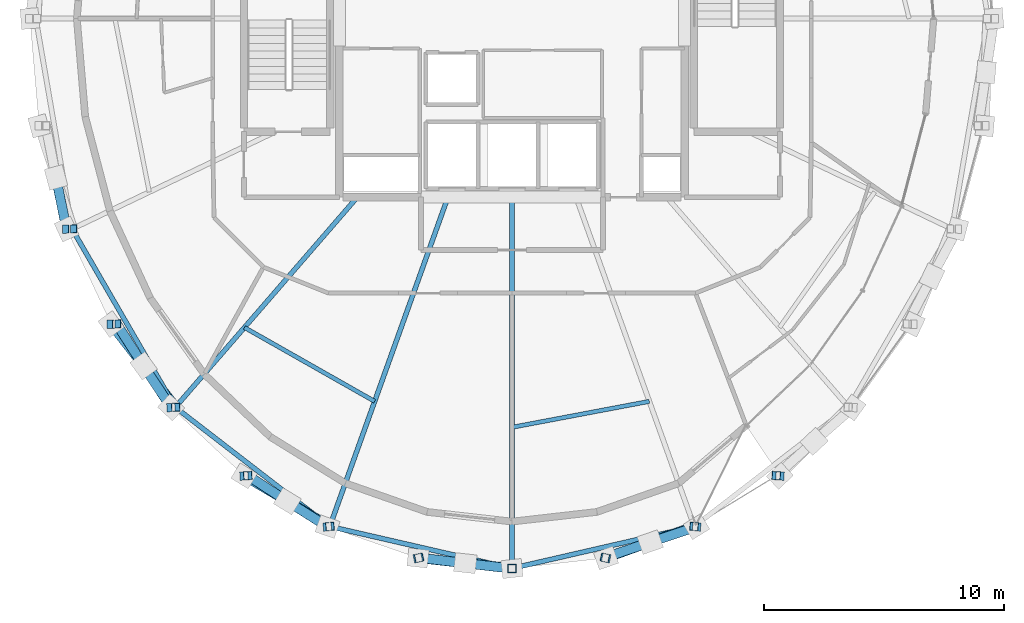
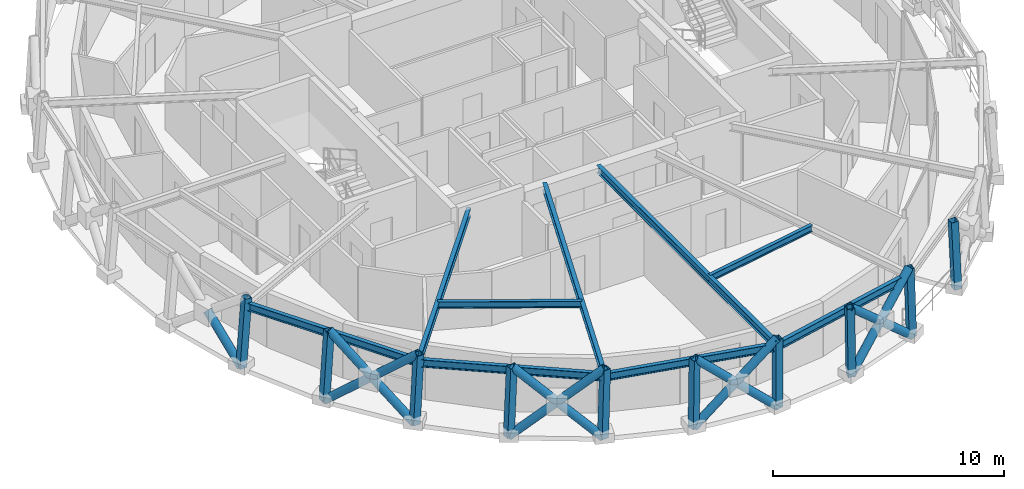
# One storey, part 1 of 17: 23 members, 9 beams.
"""IFC4 building model written with IfcOpenShell, lengths in metres."""

import ifcopenshell
import ifcopenshell.guid

model = None  # the IFC model being written
_history = None  # IfcOwnerHistory: only IFC2X3 demands one
_inside = {}  # id of a spatial element -> (the spatial element, [elements in it])
_under = {}  # id of a project, library or spatial element -> (it, [spatial elements below it])
_declared = {}  # id of a project -> (the project, [libraries it declares])
_typed = {}  # id of a type object -> (the type object, [elements of that type])
_made_of = {}  # id of a material, layer set ... -> (it, [elements and type objects made of it])


def new_model(schema):
    """Start an empty IFC model of exactly this schema.

    Asked for "IFC4X3", IfcOpenShell would pick the latest addendum, in which some entities
    have other attributes; the version numbers below select the first issue.
    IFC2X3 requires an IfcOwnerHistory on every rooted entity: one is made here for all.
    """
    global model, _history
    if schema == "IFC4X3":
        model = ifcopenshell.file(schema_version=(4, 3, 0, 0))
    else:
        model = ifcopenshell.file(schema=schema)
    _inside.clear()
    _under.clear()
    _declared.clear()
    _typed.clear()
    _made_of.clear()
    _history = None
    if model.schema == "IFC2X3":
        org = make("IfcOrganization", Name="unknown")
        user = make(
            "IfcPersonAndOrganization",
            ThePerson=make("IfcPerson", FamilyName="unknown"),
            TheOrganization=org,
        )
        app = make(
            "IfcApplication",
            ApplicationDeveloper=org,
            Version="unknown",
            ApplicationFullName="unknown",
            ApplicationIdentifier="unknown",
        )
        _history = make(
            "IfcOwnerHistory",
            OwningUser=user,
            OwningApplication=app,
            ChangeAction="ADDED",
            CreationDate=0,
        )
    return model


def make(cls, **values):
    """One entity of the class cls with the attributes given. An attribute that is None is left unset."""
    return model.create_entity(
        cls, **{name: value for name, value in values.items() if value is not None}
    )


def rooted(cls, **values):
    """An entity with a GlobalId (a new one), such as an element, a storey or a relation."""
    return make(cls, GlobalId=ifcopenshell.guid.new(), OwnerHistory=_history, **values)


def si_unit(unit_type, name, prefix=None):
    """IfcSIUnit, for example si_unit("LENGTHUNIT", "METRE", prefix="MILLI")."""
    return make("IfcSIUnit", UnitType=unit_type, Prefix=prefix, Name=name)


def assignment(units):
    """IfcUnitAssignment: the units of a project."""
    return None if units is None else make("IfcUnitAssignment", Units=units)


def point(xyz):
    """IfcCartesianPoint."""
    return None if xyz is None else make("IfcCartesianPoint", Coordinates=xyz)


def direction(xyz):
    """IfcDirection."""
    return None if xyz is None else make("IfcDirection", DirectionRatios=xyz)


def frame(location, z_axis=None, x_axis=None):
    """IfcAxis2Placement3D, a coordinate frame: its origin and axes. An axis left out is left unset."""
    return make(
        "IfcAxis2Placement3D",
        Location=point(location),
        Axis=direction(z_axis),
        RefDirection=direction(x_axis),
    )


def frame_2d(location, x_axis=None):
    """IfcAxis2Placement2D, a coordinate frame in the plane: its origin and x axis."""
    return make(
        "IfcAxis2Placement2D", Location=point(location), RefDirection=direction(x_axis)
    )


def origin():
    """The frame at (0, 0, 0) with its axes left unset."""
    return frame((0.0, 0.0, 0.0))


def origin_2d():
    """The frame at (0, 0) in the plane with its x axis left unset."""
    return frame_2d((0.0, 0.0))


def place(relative_to, where):
    """IfcLocalPlacement: puts the frame where relative to a parent placement (None: the world)."""
    return make(
        "IfcLocalPlacement", PlacementRelTo=relative_to, RelativePlacement=where
    )


def context(
    kind, dimensions, precision=None, world=None, true_north=None, identifier=None
):
    """IfcGeometricRepresentationContext, for example the 3D "Model" context."""
    return make(
        "IfcGeometricRepresentationContext",
        ContextIdentifier=identifier,
        ContextType=kind,
        CoordinateSpaceDimension=dimensions,
        Precision=precision,
        WorldCoordinateSystem=world,
        TrueNorth=true_north,
    )


def subcontext(parent, identifier, kind, view, scale=None):
    """IfcGeometricRepresentationSubContext, for example "Body" below "Model"."""
    return make(
        "IfcGeometricRepresentationSubContext",
        ContextIdentifier=identifier,
        ContextType=kind,
        ParentContext=parent,
        TargetScale=scale,
        TargetView=view,
    )


def project(units=None, contexts=None):
    """IfcProject with its units and contexts."""
    return rooted(
        "IfcProject",
        Name="project",
        RepresentationContexts=contexts,
        UnitsInContext=assignment(units),
    )


def spatial(cls, under=None, at=None, **own):
    """A site, building, storey or space (cls), placed at a placement, below another one or the project."""
    s = rooted(cls, ObjectPlacement=at, **own)
    if under is not None:
        _under.setdefault(under.id(), (under, []))[1].append(s)
    return s


def profile(cls, at=None, kind="AREA", **sizes):
    """A parametric profile (cls). Its sizes go by their IFC names, for example OverallWidth=200.0."""
    return make(cls, ProfileType=kind, Position=at, **sizes)


def hollow_rectangle(**sizes):
    """IfcRectangleHollowProfileDef."""
    return profile("IfcRectangleHollowProfileDef", **sizes)


def hollow_circle(**sizes):
    """IfcCircleHollowProfileDef."""
    return profile("IfcCircleHollowProfileDef", **sizes)


def i_section(**sizes):
    """IfcIShapeProfileDef."""
    return profile("IfcIShapeProfileDef", **sizes)


def extrude(swept, where, along, depth):
    """IfcExtrudedAreaSolid: the profile swept, set in the frame where, extruded along a direction by depth."""
    return make(
        "IfcExtrudedAreaSolid",
        SweptArea=swept,
        Position=where,
        ExtrudedDirection=direction(along),
        Depth=depth,
    )


def shape(context_of_items, identifier, shape_type, items):
    """IfcShapeRepresentation: the items that make up one representation, for example the "Body"."""
    return make(
        "IfcShapeRepresentation",
        ContextOfItems=context_of_items,
        RepresentationIdentifier=identifier,
        RepresentationType=shape_type,
        Items=items,
    )


def material(Name=None, Category=None):
    """IfcMaterial."""
    return make("IfcMaterial", Name=Name, Category=Category)


def material_profile(
    of_material, cross_section, Name=None, Category=None, Priority=None
):
    """IfcMaterialProfile: a cross section and its material."""
    return make(
        "IfcMaterialProfile",
        Name=Name,
        Material=of_material,
        Profile=cross_section,
        Priority=Priority,
        Category=Category,
    )


def profile_set(profiles, Name=None, composite=None):
    """IfcMaterialProfileSet."""
    return make(
        "IfcMaterialProfileSet",
        Name=Name,
        MaterialProfiles=profiles,
        CompositeProfile=composite,
    )


def made_of(thing, what):
    """Note that an element or type object is made of a material, layer set ...; save() writes the relation."""
    if what is not None:
        _made_of.setdefault(what.id(), (what, []))[1].append(thing)
    return thing


def type_object(cls, material=None, **own):
    """A type object (cls), such as IfcWallType, which elements share."""
    return made_of(rooted(cls, **own), material)


def element(
    cls,
    number,
    at=None,
    inside=None,
    cuts=None,
    type_object=None,
    material=None,
    context=None,
    identifier="Body",
    shape_type=None,
    held_by="IfcProductDefinitionShape",
    body=None,
    shapes=None,
    **own,
):
    """One element of the class cls, such as IfcWall. Its Tag is "e" and its number.

    at: its placement. inside: the storey or other place that contains it. cuts: it is an
    opening in that element (IfcRelVoidsElement). A single representation is given by context,
    identifier, shape_type and body (its items); several are given by shapes. held_by: the class
    of the entity that holds the representations. save() writes the other relations.
    """
    e = rooted(cls, Tag="e%d" % number, ObjectPlacement=at, **own)
    if body is not None:
        shapes = [shape(context, identifier, shape_type, body)]
    if shapes is not None:
        e.Representation = make(held_by, Representations=shapes)
    if inside is not None:
        _inside.setdefault(inside.id(), (inside, []))[1].append(e)
    if cuts is not None:
        rooted(
            "IfcRelVoidsElement", RelatingBuildingElement=cuts, RelatedOpeningElement=e
        )
    if type_object is not None:
        _typed.setdefault(type_object.id(), (type_object, []))[1].append(e)
    return made_of(e, material)


def aggregate(whole, parts):
    """IfcRelAggregates: a whole, such as a stair, and the parts it consists of."""
    return rooted("IfcRelAggregates", RelatingObject=whole, RelatedObjects=parts)


def save(model, path):
    """Write the relations noted so far, then the file.

    IfcRelAggregates (storeys below a building ...), IfcRelContainedInSpatialStructure (elements
    in a storey), IfcRelDefinesByType, IfcRelAssociatesMaterial and IfcRelDeclares: one each for
    every whole, place, type object, material and project.
    """
    for whole, parts in _under.values():
        aggregate(whole, parts)
    for where, things in _inside.values():
        rooted(
            "IfcRelContainedInSpatialStructure",
            RelatedElements=things,
            RelatingStructure=where,
        )
    for kind, things in _typed.values():
        rooted("IfcRelDefinesByType", RelatedObjects=things, RelatingType=kind)
    for what, things in _made_of.values():
        rooted("IfcRelAssociatesMaterial", RelatedObjects=things, RelatingMaterial=what)
    for by, libraries in _declared.values():
        rooted("IfcRelDeclares", RelatingContext=by, RelatedDefinitions=libraries)
    model.write(path)


model = new_model("IFC4")

# Units and contexts
model_context = context("Model", 3, precision=1e-05, world=origin(), true_north=direction((0.0, 1.0)))
body_context = subcontext(model_context, "Body", "Model", "MODEL_VIEW")
ifc_project = project(units=[si_unit("LENGTHUNIT", "METRE"), si_unit("AREAUNIT", "SQUARE_METRE"), si_unit("VOLUMEUNIT", "CUBIC_METRE"), si_unit("PLANEANGLEUNIT", "RADIAN"), si_unit("MASSUNIT", "GRAM", prefix="KILO")], contexts=[model_context])

# Site, building, storey
site_placement = place(None, origin())
site = spatial("IfcSite", under=ifc_project, at=site_placement, CompositionType="ELEMENT")
building_placement = place(site_placement, origin())
building = spatial("IfcBuilding", under=site, at=building_placement, Name="Veldorina Hangang Commons", CompositionType="ELEMENT")
storey_placement = place(building_placement, frame((0.0, 0.0, 286.800048828125)))
storey = spatial("IfcBuildingStorey", under=building, at=storey_placement, Name="L75", CompositionType="ELEMENT", Elevation=286.800048828125)

# Beams
ifc_material = material(Name="Steel SM355-TMC", Category="steel")
ifc_material_profile_1 = material_profile(ifc_material, i_section(OverallWidth=0.199951171875, OverallDepth=0.39990234375, WebThickness=0.008056640625, FlangeThickness=0.012939453125, FilletRadius=0.012939453125, at=origin_2d()), Name="H-400x200x8x13")
ifc_profile_set_1 = profile_set([ifc_material_profile_1], Name="Steel SM355-TMC")
beam_type_1 = type_object("IfcBeamType", Name="BM-FG400", PredefinedType="BEAM", material=ifc_profile_set_1)
beam_1_placement = place(storey_placement, frame((25.547607421875, 16.550048828125, 3.159912109375), z_axis=(-0.654685909514, -0.75590102519, 0.0), x_axis=(0.75590102519, -0.654685909514, 0.0)))
element("IfcBeam", 1, at=beam_1_placement, inside=storey, type_object=beam_type_1, Name="L75 radial floor girder 11", PredefinedType="BEAM", context=body_context, shape_type="SweptSolid", body=[
    extrude(i_section(OverallWidth=0.199951171875, OverallDepth=0.39990234375, WebThickness=0.008056640625, FlangeThickness=0.012939453125, FilletRadius=0.012939453125, at=origin_2d()), origin(), (0.0, 0.0, 1.0), 11.590087890625),
])
beam_2_placement = place(storey_placement, frame((29.327392578125, 16.550048828125, 3.159912109375), z_axis=(-0.337685698743, -0.941258927641, 0.0), x_axis=(0.941258927641, -0.337685698743, 0.0)))
element("IfcBeam", 2, at=beam_2_placement, inside=storey, type_object=beam_type_1, Name="L75 radial floor girder 12", PredefinedType="BEAM", context=body_context, shape_type="SweptSolid", body=[
    extrude(i_section(OverallWidth=0.199951171875, OverallDepth=0.39990234375, WebThickness=0.008056640625, FlangeThickness=0.012939453125, FilletRadius=0.012939453125, at=origin_2d()), origin(), (0.0, 0.0, 1.0), 14.587646484375),
])
beam_3_placement = place(storey_placement, frame((32.0, 16.550048828125, 3.159912109375), z_axis=(0.0, -1.0, 0.0), x_axis=(1.0, 0.0, 0.0)))
element("IfcBeam", 3, at=beam_3_placement, inside=storey, type_object=beam_type_1, Name="L75 radial floor girder 13", PredefinedType="BEAM", context=body_context, shape_type="SweptSolid", body=[
    extrude(i_section(OverallWidth=0.199951171875, OverallDepth=0.39990234375, WebThickness=0.008056640625, FlangeThickness=0.012939453125, FilletRadius=0.012939453125, at=origin_2d()), origin(), (0.0, 0.0, 1.0), 15.475830078125),
])
ifc_material_profile_2 = material_profile(ifc_material, i_section(OverallWidth=0.175048828125, OverallDepth=0.35009765625, WebThickness=0.007080078125, FlangeThickness=0.010986328125, FilletRadius=0.012939453125, at=origin_2d()), Name="H-350x175x7x11")
ifc_profile_set_2 = profile_set([ifc_material_profile_2], Name="Steel SM355-TMC")
beam_type_2 = type_object("IfcBeamType", Name="BM-JST350", PredefinedType="JOIST", material=ifc_profile_set_2)
beam_4_placement = place(storey_placement, frame((20.843017578125, 11.1181640625, 3.18505859375), z_axis=(0.869750332147, -0.493492005741, 0.0), x_axis=(0.493492005741, 0.869750332147, 0.0)))
element("IfcBeam", 4, at=beam_4_placement, inside=storey, type_object=beam_type_2, Name="L75 secondary floor joist 11", PredefinedType="JOIST", context=body_context, shape_type="SweptSolid", body=[
    extrude(i_section(OverallWidth=0.175048828125, OverallDepth=0.35009765625, WebThickness=0.007080078125, FlangeThickness=0.010986328125, FilletRadius=0.012939453125, at=origin_2d()), origin(), (0.0, 0.0, 1.0), 6.243408203125),
])
beam_5_placement = place(storey_placement, frame((32.0, 6.955078125, 3.18505859375), z_axis=(0.982614677757, 0.185656659071, 0.0), x_axis=(-0.185656659071, 0.982614677757, 0.0)))
element("IfcBeam", 5, at=beam_5_placement, inside=storey, type_object=beam_type_2, Name="L75 secondary floor joist 13", PredefinedType="JOIST", context=body_context, shape_type="SweptSolid", body=[
    extrude(i_section(OverallWidth=0.175048828125, OverallDepth=0.35009765625, WebThickness=0.007080078125, FlangeThickness=0.010986328125, FilletRadius=0.012939453125, at=origin_2d()), origin(), (0.0, 0.0, 1.0), 5.828125),
])
ifc_material_profile_3 = material_profile(ifc_material, i_section(OverallWidth=0.199951171875, OverallDepth=0.39990234375, WebThickness=0.008056640625, FlangeThickness=0.012939453125, FilletRadius=0.012939453125, at=origin_2d()), Name="H-400x200x8x13")
ifc_profile_set_3 = profile_set([ifc_material_profile_3], Name="Steel SM355-TMC")
beam_type_3 = type_object("IfcBeamType", Name="BM-RB400", PredefinedType="BEAM", material=ifc_profile_set_3)
beam_6_placement = place(storey_placement, frame((13.655517578125, 15.226806640625, 3.159912109375), z_axis=(0.500873874956, -0.865520283637, 0.0), x_axis=(0.865520283637, 0.500873874956, 0.0)))
element("IfcBeam", 6, at=beam_6_placement, inside=storey, type_object=beam_type_3, Name="L75 perimeter hoop ring beam 18", PredefinedType="BEAM", context=body_context, shape_type="SweptSolid", body=[
    extrude(i_section(OverallWidth=0.199951171875, OverallDepth=0.39990234375, WebThickness=0.008056640625, FlangeThickness=0.012939453125, FilletRadius=0.012939453125, at=origin_2d()), origin(), (0.0, 0.0, 1.0), 8.59326171875),
])
beam_7_placement = place(storey_placement, frame((17.959716796875, 7.7890625, 3.159912109375), z_axis=(0.791755303075, -0.610838391109, 0.0), x_axis=(0.610838391109, 0.791755303075, 0.0)))
element("IfcBeam", 7, at=beam_7_placement, inside=storey, type_object=beam_type_3, Name="L75 perimeter hoop ring beam 20", PredefinedType="BEAM", context=body_context, shape_type="SweptSolid", body=[
    extrude(i_section(OverallWidth=0.199951171875, OverallDepth=0.39990234375, WebThickness=0.008056640625, FlangeThickness=0.012939453125, FilletRadius=0.012939453125, at=origin_2d()), origin(), (0.0, 0.0, 1.0), 8.135986328125),
])
for number, where, z_axis, x_axis, name in (
    (8, (24.4013671875, 2.8193359375, 3.159912109375), (0.974627097778, -0.223834805774, 0.0), (0.223834805774, 0.974627097778, 0.0), "L75 perimeter hoop ring beam 22"),
    (9, (32.0, 1.07421875, 3.159912109375), (0.974627097778, 0.223834805774, 0.0), (-0.223834805774, 0.974627097778, 0.0), "L75 perimeter hoop ring beam 24"),
):
    element("IfcBeam", number, at=place(storey_placement, frame(where, z_axis=z_axis, x_axis=x_axis)), inside=storey, type_object=beam_type_3, Name=name, PredefinedType="BEAM", context=body_context, shape_type="SweptSolid", body=[
        extrude(i_section(OverallWidth=0.199951171875, OverallDepth=0.39990234375, WebThickness=0.008056640625, FlangeThickness=0.012939453125, FilletRadius=0.012939453125, at=origin_2d()), origin(), (0.0, 0.0, 1.0), 7.79638671875),
    ])

# Members
ifc_material_profile_4 = material_profile(ifc_material, hollow_circle(Radius=0.199951171875, WallThickness=0.02001953125, at=origin_2d()), Name="CHS-400x20")
ifc_profile_set_4 = profile_set([ifc_material_profile_4], Name="Steel SM355-TMC")
member_type_1 = type_object("IfcMemberType", Name="DG-CHS400", PredefinedType="BRACE", material=ifc_profile_set_4)
member_1_placement = place(storey_placement, frame((13.424560546875, 15.22265625, 0.0), z_axis=(-0.154870038407, 0.757591225612, 0.634090534608), x_axis=(-0.979738234578, -0.200282280058, 0.0)))
element("IfcMember", 10, at=member_1_placement, inside=storey, type_object=member_type_1, Name="L75 split perimeter diagrid lower brace 18", PredefinedType="BRACE", context=body_context, shape_type="SweptSolid", body=[
    extrude(hollow_circle(Radius=0.199951171875, WallThickness=0.02001953125, at=origin_2d()), origin(), (0.0, 0.0, 1.0), 2.8408203125),
])
member_2_placement = place(storey_placement, frame((15.28271484375, 11.257080078125, 0.0), z_axis=(0.475494074974, -0.610256787953, 0.633633993266), x_axis=(0.78881952626, 0.614624889661, 0.0)))
element("IfcMember", 11, at=member_2_placement, inside=storey, type_object=member_type_1, Name="L75 continuous perimeter diagrid brace 19", PredefinedType="BRACE", context=body_context, shape_type="SweptSolid", body=[
    extrude(hollow_circle(Radius=0.199951171875, WallThickness=0.02001953125, at=origin_2d()), origin(), (0.0, 0.0, 1.0), 5.681396484375),
])
member_3_placement = place(storey_placement, frame((17.782958984375, 7.781494140625, 0.0), z_axis=(-0.415990856857, 0.630810165979, 0.655003924804), x_axis=(-0.83481855342, -0.550525188221, 0.0)))
element("IfcMember", 12, at=member_3_placement, inside=storey, type_object=member_type_1, Name="L75 split perimeter diagrid lower brace 20", PredefinedType="BRACE", context=body_context, shape_type="SweptSolid", body=[
    extrude(hollow_circle(Radius=0.199951171875, WallThickness=0.02001953125, at=origin_2d()), origin(), (0.0, 0.0, 1.0), 2.7548828125),
])
member_4_placement = place(storey_placement, frame((16.636962890625, 9.519287109375, 1.804443359375), z_axis=(-0.407671286744, 0.636351903685, 0.654874321257), x_axis=(-0.842027358063, -0.539434823008, 0.0)))
element("IfcMember", 13, at=member_4_placement, inside=storey, type_object=member_type_1, Name="L75 split perimeter diagrid upper brace 20", PredefinedType="BRACE", context=body_context, shape_type="SweptSolid", body=[
    extrude(hollow_circle(Radius=0.199951171875, WallThickness=0.02001953125, at=origin_2d()), origin(), (0.0, 0.0, 1.0), 2.74169921875),
])
member_5_placement = place(storey_placement, frame((20.829833984375, 4.92919921875, 0.0), z_axis=(0.651743923987, -0.383305674717, 0.654451386488), x_axis=(0.506948294386, 0.861976465351, 0.0)))
element("IfcMember", 14, at=member_5_placement, inside=storey, type_object=member_type_1, Name="L75 continuous perimeter diagrid brace 21", PredefinedType="BRACE", context=body_context, shape_type="SweptSolid", body=[
    extrude(hollow_circle(Radius=0.199951171875, WallThickness=0.02001953125, at=origin_2d()), origin(), (0.0, 0.0, 1.0), 5.50048828125),
])
member_6_placement = place(storey_placement, frame((24.305908203125, 2.8095703125, 0.0), z_axis=(-0.623933794646, 0.394939720408, 0.674336145511), x_axis=(-0.534841020209, -0.844952710572, 0.0)))
element("IfcMember", 15, at=member_6_placement, inside=storey, type_object=member_type_1, Name="L75 split perimeter diagrid lower brace 22", PredefinedType="BRACE", context=body_context, shape_type="SweptSolid", body=[
    extrude(hollow_circle(Radius=0.199951171875, WallThickness=0.02001953125, at=origin_2d()), origin(), (0.0, 0.0, 1.0), 2.68359375),
])
member_7_placement = place(storey_placement, frame((22.631591796875, 3.869384765625, 1.8095703125), z_axis=(-0.619015282118, 0.40287018658, 0.674177790549), x_axis=(-0.545473930346, -0.838127789369, 0.0)))
element("IfcMember", 16, at=member_7_placement, inside=storey, type_object=member_type_1, Name="L75 split perimeter diagrid upper brace 22", PredefinedType="BRACE", context=body_context, shape_type="SweptSolid", body=[
    extrude(hollow_circle(Radius=0.199951171875, WallThickness=0.02001953125, at=origin_2d()), origin(), (0.0, 0.0, 1.0), 2.655517578125),
])
member_8_placement = place(storey_placement, frame((28.077392578125, 1.50439453125, 0.0), z_axis=(0.734390584784, -0.080263264261, 0.673964596542), x_axis=(0.108645389964, 0.994080569793, 0.0)))
element("IfcMember", 17, at=member_8_placement, inside=storey, type_object=member_type_1, Name="L75 continuous perimeter diagrid brace 23", PredefinedType="BRACE", context=body_context, shape_type="SweptSolid", body=[
    extrude(hollow_circle(Radius=0.199951171875, WallThickness=0.02001953125, at=origin_2d()), origin(), (0.0, 0.0, 1.0), 5.34130859375),
])
member_9_placement = place(storey_placement, frame((32.0, 1.063720703125, 0.0), z_axis=(-0.729379099406, 0.084211877968, 0.678906833784), x_axis=(-0.114695009765, -0.993400752333, 0.0)))
element("IfcMember", 18, at=member_9_placement, inside=storey, type_object=member_type_1, Name="L75 split perimeter diagrid lower brace 24", PredefinedType="BRACE", context=body_context, shape_type="SweptSolid", body=[
    extrude(hollow_circle(Radius=0.199951171875, WallThickness=0.02001953125, at=origin_2d()), origin(), (0.0, 0.0, 1.0), 2.670166015625),
])
member_10_placement = place(storey_placement, frame((30.052490234375, 1.28857421875, 1.812744140625), z_axis=(-0.729139345955, 0.086528492721, 0.678873061866), x_axis=(-0.117845184051, -0.993031979644, 0.0)))
element("IfcMember", 19, at=member_10_placement, inside=storey, type_object=member_type_1, Name="L75 split perimeter diagrid upper brace 24", PredefinedType="BRACE", context=body_context, shape_type="SweptSolid", body=[
    extrude(hollow_circle(Radius=0.199951171875, WallThickness=0.02001953125, at=origin_2d()), origin(), (0.0, 0.0, 1.0), 2.632568359375),
])
member_11_placement = place(storey_placement, frame((35.922607421875, 1.50439453125, 0.0), z_axis=(0.690853382679, 0.248305655206, 0.679018339395), x_axis=(-0.338235183371, 0.941061613674, 0.0)))
element("IfcMember", 20, at=member_11_placement, inside=storey, type_object=member_type_1, Name="L75 continuous perimeter diagrid brace 25", PredefinedType="BRACE", context=body_context, shape_type="SweptSolid", body=[
    extrude(hollow_circle(Radius=0.199951171875, WallThickness=0.02001953125, at=origin_2d()), origin(), (0.0, 0.0, 1.0), 5.301513671875),
])
member_12_placement = place(storey_placement, frame((39.694091796875, 2.8095703125, 0.0), z_axis=(-0.708257356059, -0.236085785353, 0.665308213945), x_axis=(0.316227766017, -0.948683298051, 0.0)))
element("IfcMember", 21, at=member_12_placement, inside=storey, type_object=member_type_1, Name="L75 split perimeter diagrid lower brace 26", PredefinedType="BRACE", context=body_context, shape_type="SweptSolid", body=[
    extrude(hollow_circle(Radius=0.199951171875, WallThickness=0.02001953125, at=origin_2d()), origin(), (0.0, 0.0, 1.0), 2.722900390625),
])
member_13_placement = place(storey_placement, frame((37.765625, 2.166748046875, 1.8115234375), z_axis=(-0.706316633592, -0.241947732016, 0.665265441823), x_axis=(0.324063072238, -0.946035477776, 0.0)))
element("IfcMember", 22, at=member_13_placement, inside=storey, type_object=member_type_1, Name="L75 split perimeter diagrid upper brace 26", PredefinedType="BRACE", context=body_context, shape_type="SweptSolid", body=[
    extrude(hollow_circle(Radius=0.199951171875, WallThickness=0.02001953125, at=origin_2d()), origin(), (0.0, 0.0, 1.0), 2.688232421875),
])
ifc_material_profile_5 = material_profile(ifc_material, hollow_rectangle(XDim=0.35009765625, YDim=0.35009765625, WallThickness=0.01611328125, at=origin_2d()), Name="SHS-350x350x16")
ifc_profile_set_5 = profile_set([ifc_material_profile_5], Name="Steel SM355-TMC")
member_type_2 = type_object("IfcMemberType", Name="STR-SHS350", PredefinedType="STRUT", material=ifc_profile_set_5)
member_14_placement = place(storey_placement, frame((13.424560546875, 15.22265625, 0.0), z_axis=(0.07284758298, 0.001285147703, 0.997342257226), x_axis=(-0.017638852408, 0.999844423341, 0.0)))
element("IfcMember", 23, at=member_14_placement, inside=storey, type_object=member_type_2, Name="L75 perimeter ring node post 18", PredefinedType="STRUT", context=body_context, shape_type="SweptSolid", body=[
    extrude(hollow_rectangle(XDim=0.35009765625, YDim=0.35009765625, WallThickness=0.01611328125, at=origin_2d()), origin(), (0.0, 0.0, 1.0), 3.609375),
])
member_15_placement = place(storey_placement, frame((15.28271484375, 11.257080078125, 0.0), z_axis=(0.065575624504, 0.001894858087, 0.99784580321), x_axis=(-0.028883712899, 0.999582778528, 0.0)))
element("IfcMember", 24, at=member_15_placement, inside=storey, type_object=member_type_2, Name="L75 perimeter ring node post 19", PredefinedType="STRUT", context=body_context, shape_type="SweptSolid", body=[
    extrude(hollow_rectangle(XDim=0.35009765625, YDim=0.35009765625, WallThickness=0.01611328125, at=origin_2d()), origin(), (0.0, 0.0, 1.0), 3.607666015625),
])
member_16_placement = place(storey_placement, frame((17.782958984375, 7.781494140625, 0.0), z_axis=(0.055796137019, 0.002369981548, 0.998439369357), x_axis=(-0.042437462837, 0.999099125086, 0.0)))
element("IfcMember", 25, at=member_16_placement, inside=storey, type_object=member_type_2, Name="L75 perimeter ring node post 20", PredefinedType="STRUT", context=body_context, shape_type="SweptSolid", body=[
    extrude(hollow_rectangle(XDim=0.35009765625, YDim=0.35009765625, WallThickness=0.01611328125, at=origin_2d()), origin(), (0.0, 0.0, 1.0), 3.60546875),
])
member_17_placement = place(storey_placement, frame((20.829833984375, 4.92919921875, 0.0), z_axis=(0.043836930479, 0.00277791986, 0.999034837574), x_axis=(-0.063242543517, 0.997998186717, 0.0)))
element("IfcMember", 26, at=member_17_placement, inside=storey, type_object=member_type_2, Name="L75 perimeter ring node post 21", PredefinedType="STRUT", context=body_context, shape_type="SweptSolid", body=[
    extrude(hollow_rectangle(XDim=0.35009765625, YDim=0.35009765625, WallThickness=0.01611328125, at=origin_2d()), origin(), (0.0, 0.0, 1.0), 3.603271484375),
])
member_18_placement = place(storey_placement, frame((24.305908203125, 2.8095703125, 0.0), z_axis=(0.030233567091, 0.003118260283, 0.999537997214), x_axis=(-0.102594773028, 0.994723234145, 0.0)))
element("IfcMember", 27, at=member_18_placement, inside=storey, type_object=member_type_2, Name="L75 perimeter ring node post 22", PredefinedType="STRUT", context=body_context, shape_type="SweptSolid", body=[
    extrude(hollow_rectangle(XDim=0.35009765625, YDim=0.35009765625, WallThickness=0.01611328125, at=origin_2d()), origin(), (0.0, 0.0, 1.0), 3.6015625),
])
member_19_placement = place(storey_placement, frame((28.077392578125, 1.50439453125, 0.0), z_axis=(0.015460935162, 0.003322744837, 0.999874951607), x_axis=(-0.210114736821, 0.977676734596, 0.0)))
element("IfcMember", 28, at=member_19_placement, inside=storey, type_object=member_type_2, Name="L75 perimeter ring node post 23", PredefinedType="STRUT", context=body_context, shape_type="SweptSolid", body=[
    extrude(hollow_rectangle(XDim=0.35009765625, YDim=0.35009765625, WallThickness=0.01611328125, at=origin_2d()), origin(), (0.0, 0.0, 1.0), 3.600341796875),
])
member_20_placement = place(storey_placement, frame((32.0, 1.063720703125, 0.0), z_axis=(0.0, 0.003323142044, 0.999994478348), x_axis=(-1.0, 0.0, 0.0)))
element("IfcMember", 29, at=member_20_placement, inside=storey, type_object=member_type_2, Name="L75 perimeter ring node post 24", PredefinedType="STRUT", context=body_context, shape_type="SweptSolid", body=[
    extrude(hollow_rectangle(XDim=0.35009765625, YDim=0.35009765625, WallThickness=0.01611328125, at=origin_2d()), origin(), (0.0, 0.0, 1.0), 3.599853515625),
])
member_21_placement = place(storey_placement, frame((35.922607421875, 1.50439453125, 0.0), z_axis=(-0.015460935162, 0.003322744837, 0.999874951607), x_axis=(-0.210114736821, -0.977676734596, 0.0)))
element("IfcMember", 30, at=member_21_placement, inside=storey, type_object=member_type_2, Name="L75 perimeter ring node post 25", PredefinedType="STRUT", context=body_context, shape_type="SweptSolid", body=[
    extrude(hollow_rectangle(XDim=0.35009765625, YDim=0.35009765625, WallThickness=0.01611328125, at=origin_2d()), origin(), (0.0, 0.0, 1.0), 3.600341796875),
])
member_22_placement = place(storey_placement, frame((39.694091796875, 2.8095703125, 0.0), z_axis=(-0.030233567091, 0.003118260283, 0.999537997214), x_axis=(-0.102594773028, -0.994723234145, 0.0)))
element("IfcMember", 31, at=member_22_placement, inside=storey, type_object=member_type_2, Name="L75 perimeter ring node post 26", PredefinedType="STRUT", context=body_context, shape_type="SweptSolid", body=[
    extrude(hollow_rectangle(XDim=0.35009765625, YDim=0.35009765625, WallThickness=0.01611328125, at=origin_2d()), origin(), (0.0, 0.0, 1.0), 3.6015625),
])
member_23_placement = place(storey_placement, frame((43.170166015625, 4.92919921875, 0.0), z_axis=(-0.043836930479, 0.00277791986, 0.999034837574), x_axis=(-0.063242543517, -0.997998186717, 0.0)))
element("IfcMember", 32, at=member_23_placement, inside=storey, type_object=member_type_2, Name="L75 perimeter ring node post 27", PredefinedType="STRUT", context=body_context, shape_type="SweptSolid", body=[
    extrude(hollow_rectangle(XDim=0.35009765625, YDim=0.35009765625, WallThickness=0.01611328125, at=origin_2d()), origin(), (0.0, 0.0, 1.0), 3.603271484375),
])

save(model, "model.ifc")
